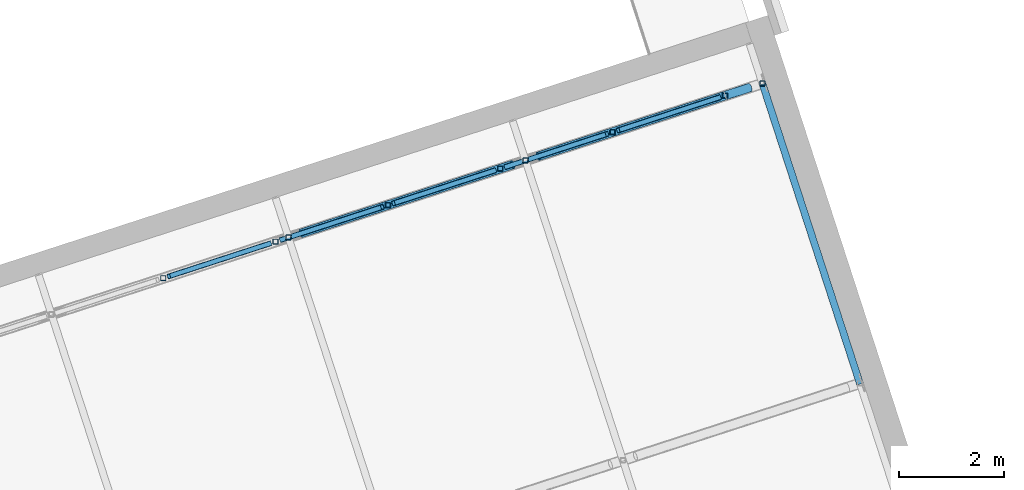
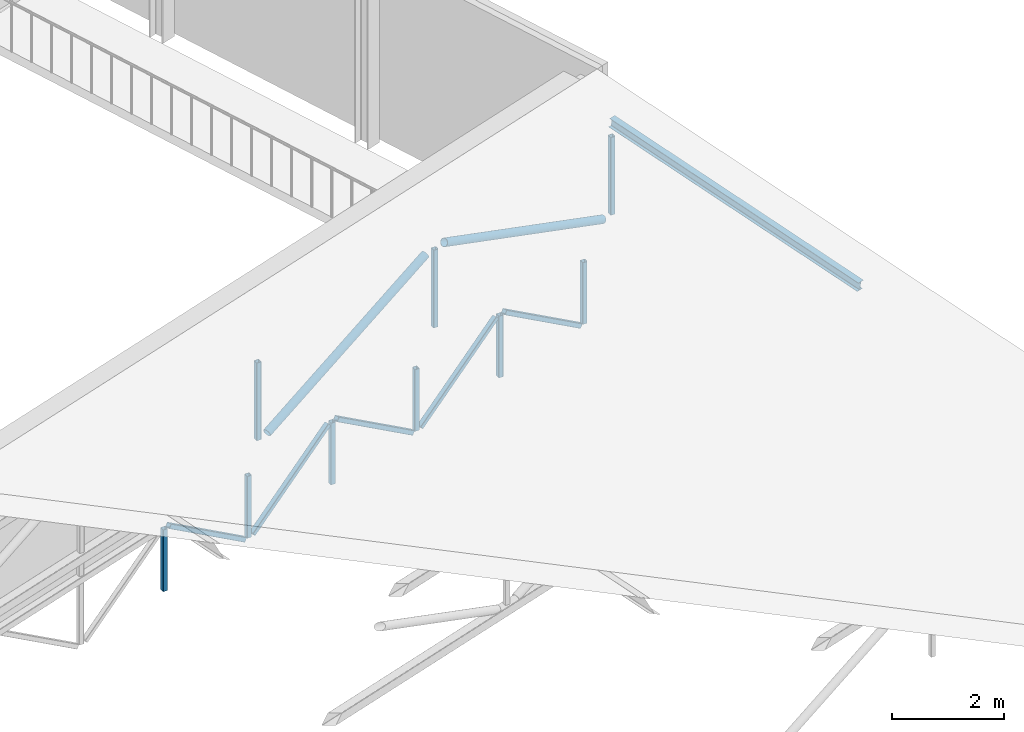
# One storey, part 18 of 55: 17 members.
"""IFC4 building model written with IfcOpenShell, lengths in metres."""

from ifc_helpers import new_model, si_unit, direction, frame, origin, origin_2d, place, context, subcontext, project, spatial, hollow_rectangle, hollow_circle, i_section, extrude, material, material_profile, profile_set, type_object, element, save


model = new_model("IFC4")

# Units and contexts
model_context = context("Model", 3, precision=1e-05, world=origin(), true_north=direction((0.0, 1.0)))
body_context = subcontext(model_context, "Body", "Model", "MODEL_VIEW")
ifc_project = project(units=[si_unit("LENGTHUNIT", "METRE"), si_unit("AREAUNIT", "SQUARE_METRE"), si_unit("VOLUMEUNIT", "CUBIC_METRE"), si_unit("PLANEANGLEUNIT", "RADIAN"), si_unit("MASSUNIT", "GRAM", prefix="KILO")], contexts=[model_context])

# Site, building, storey
site_placement = place(None, origin())
site = spatial("IfcSite", under=ifc_project, at=site_placement, CompositionType="ELEMENT")
building_placement = place(site_placement, origin())
building = spatial("IfcBuilding", under=site, at=building_placement, Name="Tuart Plaza Theatre", CompositionType="ELEMENT")
storey_placement = place(building_placement, frame((0.0, 0.0, 21.5)))
storey = spatial("IfcBuildingStorey", under=building, at=storey_placement, Name="L05", CompositionType="ELEMENT", Elevation=21.5)

# Members
ifc_material_1 = material(Name="Steel Grade C350L0", Category="steel")
ifc_material_profile_1 = material_profile(ifc_material_1, hollow_rectangle(XDim=0.10009765625, YDim=0.10009765625, WallThickness=0.006103515625, InnerFilletRadius=0.006103515625, OuterFilletRadius=0.011962890625, at=origin_2d()), Name="100x100x6 SHS")
ifc_profile_set_1 = profile_set([ifc_material_profile_1], Name="Steel Grade C350L0")
member_type_1 = type_object("IfcMemberType", Name="MEMBER Brace 100x100x6 SHS", PredefinedType="BRACE", material=ifc_profile_set_1)
for number, where, z_axis, x_axis, name in (
    (1, (57.6796875, 72.884765625, 0.825927734375), (0.791072972357, 0.257066093415, -0.555086097847), (-0.309050599318, 0.951045596731, 0.0), "BR150"),
    (2, (59.817626953125, 73.579345703125, -0.524169921875), (0.791072972357, 0.257066093415, 0.555086097847), (-0.309050599318, 0.951045596731, 0.0), "BR151"),
    (3, (61.95556640625, 74.274169921875, 0.825927734375), (0.791093381678, 0.256972345781, -0.555100418815), (-0.308941443477, 0.951081060953, 0.0), "BR152"),
    (4, (64.093505859375, 74.96875, -0.524169921875), (0.791072972357, 0.257066093415, 0.555086097847), (-0.309050599318, 0.951045596731, 0.0), "BR153"),
    (5, (66.2314453125, 75.663330078125, 0.825927734375), (0.791072972357, 0.257066093415, -0.555086097847), (-0.309050599318, 0.951045596731, 0.0), "BR154"),
):
    element("IfcMember", number, at=place(storey_placement, frame(where, z_axis=z_axis, x_axis=x_axis)), inside=storey, type_object=member_type_1, Name=name, PredefinedType="BRACE", context=body_context, shape_type="SweptSolid", body=[
        extrude(hollow_rectangle(XDim=0.10009765625, YDim=0.10009765625, WallThickness=0.006103515625, InnerFilletRadius=0.006103515625, OuterFilletRadius=0.011962890625, at=origin_2d()), origin(), (0.0, 0.0, 1.0), 2.43212890625),
    ])
ifc_material_2 = material(Name="Steel Grade C350L0", Category="steel")
ifc_material_profile_2 = material_profile(ifc_material_2, hollow_circle(Radius=0.084228515625, WallThickness=0.00634765625, at=origin_2d()), Name="168.3x6.4 CHS")
ifc_profile_set_2 = profile_set([ifc_material_profile_2], Name="Steel Grade C350L0")
member_type_2 = type_object("IfcMemberType", Name="MEMBER Brace 168.3x6.4 CHS", PredefinedType="BRACE", material=ifc_profile_set_2)
for number, where, z_axis, x_axis, name in (
    (6, (60.19384765625, 73.70166015625, 1.475830078125), (0.882805299901, 0.28684361714, 0.371988631241), (-0.309019710385, 0.951055633806, 0.0), "BR29"),
    (7, (64.703369140625, 75.1669921875, 3.176025390625), (0.882805299901, 0.28684361714, -0.371988631241), (-0.309019710385, 0.951055633806, 0.0), "BR30"),
):
    element("IfcMember", number, at=place(storey_placement, frame(where, z_axis=z_axis, x_axis=x_axis)), inside=storey, type_object=member_type_2, Name=name, PredefinedType="BRACE", context=body_context, shape_type="SweptSolid", body=[
        extrude(hollow_circle(Radius=0.084228515625, WallThickness=0.00634765625, at=origin_2d()), origin(), (0.0, 0.0, 1.0), 4.570556640625),
    ])
ifc_material_3 = material(Name="Steel Grade C350L0", Category="steel")
ifc_material_profile_3 = material_profile(ifc_material_3, hollow_rectangle(XDim=0.10009765625, YDim=0.10009765625, WallThickness=0.006103515625, InnerFilletRadius=0.006103515625, OuterFilletRadius=0.011962890625, at=origin_2d()), Name="100x100x6 SHS")
ifc_profile_set_3 = profile_set([ifc_material_profile_3], Name="Steel Grade C350L0")
member_type_3 = type_object("IfcMemberType", Name="MEMBER Post 100x100x6 SHS", PredefinedType="POST", material=ifc_profile_set_3)
for number, where, z_axis, x_axis, name in (
    (8, (59.95654296875, 73.62451171875, 1.475830078125), (0.0, 0.0, 1.0), (1.0, 0.0, 0.0), "PO33"),
    (9, (64.466064453125, 75.08984375, 1.475830078125), (0.0, 0.0, 1.0), (1.0, 0.0, 0.0), "PO34"),
    (10, (68.9755859375, 76.554931640625, 1.475830078125), (0.0, 0.0, 1.0), (1.0, 0.0, 0.0), "PO35"),
):
    element("IfcMember", number, at=place(storey_placement, frame(where, z_axis=z_axis, x_axis=x_axis)), inside=storey, type_object=member_type_3, Name=name, PredefinedType="POST", context=body_context, shape_type="SweptSolid", body=[
        extrude(hollow_rectangle(XDim=0.10009765625, YDim=0.10009765625, WallThickness=0.006103515625, InnerFilletRadius=0.006103515625, OuterFilletRadius=0.011962890625, at=origin_2d()), origin(), (0.0, 0.0, 1.0), 1.7001953125),
    ])
for number, where, z_axis, x_axis, name in (
    (11, (57.57275390625, 72.85009765625, -0.524169921875), (0.0, 0.0, 1.0), (1.0, 0.0, 0.0), "PO194"),
    (12, (59.710693359375, 73.544677734375, -0.524169921875), (0.0, 0.0, 1.0), (1.0, 0.0, 0.0), "PO195"),
    (13, (61.8486328125, 74.2392578125, -0.524169921875), (0.0, 0.0, 1.0), (1.0, 0.0, 0.0), "PO196"),
    (14, (63.986572265625, 74.93408203125, -0.524169921875), (0.0, 0.0, 1.0), (1.0, 0.0, 0.0), "PO197"),
    (15, (66.12451171875, 75.628662109375, -0.524169921875), (0.0, 0.0, 1.0), (1.0, 0.0, 0.0), "PO198"),
    (16, (68.262451171875, 76.3232421875, -0.524169921875), (0.0, 0.0, 1.0), (1.0, 0.0, 0.0), "PO199"),
):
    element("IfcMember", number, at=place(storey_placement, frame(where, z_axis=z_axis, x_axis=x_axis)), inside=storey, type_object=member_type_3, Name=name, PredefinedType="POST", context=body_context, shape_type="SweptSolid", body=[
        extrude(hollow_rectangle(XDim=0.10009765625, YDim=0.10009765625, WallThickness=0.006103515625, InnerFilletRadius=0.006103515625, OuterFilletRadius=0.011962890625, at=origin_2d()), origin(), (0.0, 0.0, 1.0), 1.35009765625),
    ])
ifc_material_4 = material(Name="Steel Grade 300", Category="steel")
ifc_material_profile_4 = material_profile(ifc_material_4, i_section(OverallWidth=0.133056640625, OverallDepth=0.202880859375, WebThickness=0.005859375, FlangeThickness=0.0078125, FilletRadius=0.0087890625, at=origin_2d()), Name="200UB25.4")
ifc_profile_set_4 = profile_set([ifc_material_profile_4], Name="Steel Grade 300")
member_type_4 = type_object("IfcMemberType", Name="MEMBER Purlin 200UB25.4", PredefinedType="PURLIN", material=ifc_profile_set_4)
member_placement = place(storey_placement, frame((70.829833984375, 70.8486328125, 2.699462890625), z_axis=(-0.306383361879, 0.942870087847, 0.130863413553), x_axis=(-0.951048719763, -0.309040988602, 0.0)))
element("IfcMember", 17, at=member_placement, inside=storey, type_object=member_type_4, Name="PU41", PredefinedType="PURLIN", context=body_context, shape_type="SweptSolid", body=[
    extrude(i_section(OverallWidth=0.133056640625, OverallDepth=0.202880859375, WebThickness=0.005859375, FlangeThickness=0.0078125, FilletRadius=0.0087890625, at=origin_2d()), origin(), (0.0, 0.0, 1.0), 6.052001953125),
])

save(model, "model.ifc")
